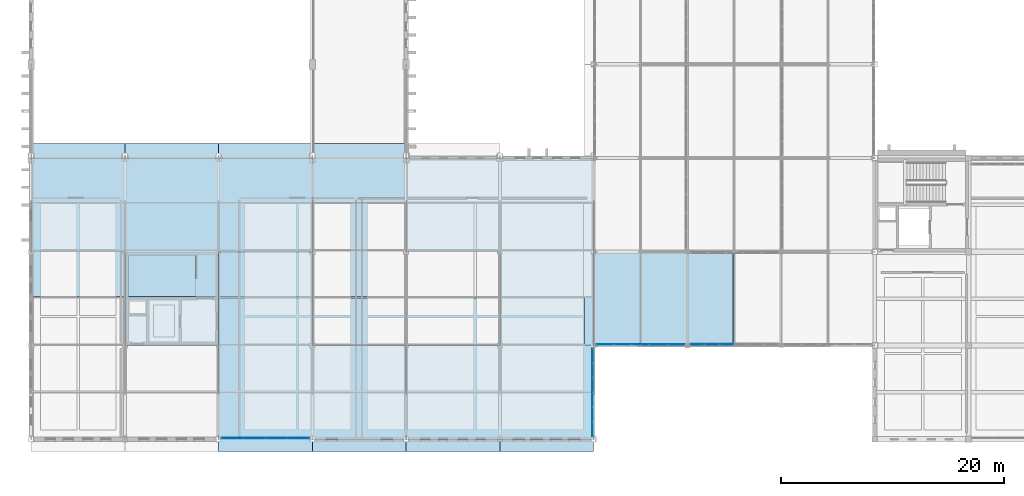
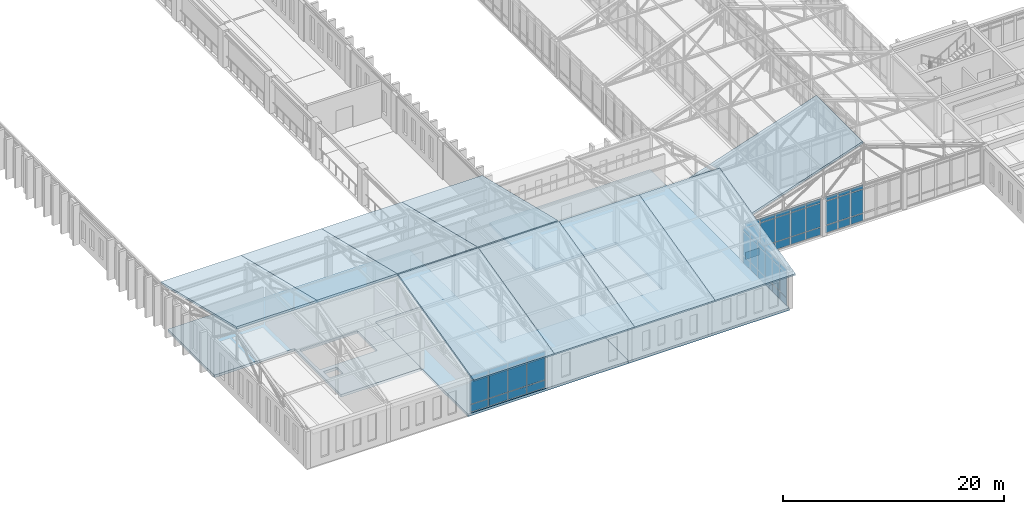
# One storey, part 111 of 192: 54 plates, 12 slabs, 4 elements without a shape of their own.
"""IFC4 building model written with IfcOpenShell, lengths in metres."""

from ifc_helpers import new_model, si_unit, direction, frame, origin, origin_2d, place, context, subcontext, project, spatial, polyline, rectangle, outline, extrude, material, layer, layer_set, type_object, element, aggregate, save


model = new_model("IFC4")

# Units and contexts
model_context = context("Model", 3, precision=1e-05, world=origin(), true_north=direction((0.0, 1.0)))
body_context = subcontext(model_context, "Body", "Model", "MODEL_VIEW")
ifc_project = project(units=[si_unit("LENGTHUNIT", "METRE"), si_unit("AREAUNIT", "SQUARE_METRE"), si_unit("VOLUMEUNIT", "CUBIC_METRE"), si_unit("PLANEANGLEUNIT", "RADIAN"), si_unit("MASSUNIT", "GRAM", prefix="KILO")], contexts=[model_context])

# Site, building, storey
site_placement = place(None, origin())
site = spatial("IfcSite", under=ifc_project, at=site_placement, CompositionType="ELEMENT")
building_placement = place(site_placement, origin())
building = spatial("IfcBuilding", under=site, at=building_placement, Name="Kveldsbrygga Polytechnic", CompositionType="ELEMENT")
storey_placement = place(building_placement, frame((0.0, 0.0, 5.43994140625)))
storey = spatial("IfcBuildingStorey", under=building, at=storey_placement, Name="L01", CompositionType="ELEMENT", Elevation=5.43994140625)

# Curtain wall, plates
ifc_material_1 = material(Name="Anodised aluminium AW-6060", Category="aluminium")
ifc_layer_1 = layer(ifc_material_1, 0.179931640625)
ifc_layer_set_1 = layer_set([ifc_layer_1], Name="Anodised aluminium AW-6060")
curtain_wall_type_1 = type_object("IfcCurtainWallType", Name="CW-CONC-A", PredefinedType="USERDEFINED", material=ifc_layer_set_1)
curtain_wall_1_placement = place(storey_placement, origin())
curtain_wall_1 = element("IfcCurtainWall", 1, at=curtain_wall_1_placement, inside=storey, type_object=curtain_wall_type_1, Name="Curtain Wall CW-L01-Y-06-00", ObjectType="UNITISED CURTAIN WALL", PredefinedType="USERDEFINED")
ifc_material_2 = material(Name="Insulated triple low-E glass", Category="glass")
ifc_layer_2 = layer(ifc_material_2, 0.035888671875)
ifc_layer_set_2 = layer_set([ifc_layer_2], Name="Insulated triple low-E glass")
plate_type_1 = type_object("IfcPlateType", Name="CW-PAN-VIS36", PredefinedType="CURTAIN_PANEL", material=ifc_layer_set_2)
plate_1_placement = place(storey_placement, frame((50.300048828125, 0.902587890625, 0.06005859375), z_axis=(0.0, 0.0, 1.0), x_axis=(0.0, 1.0, 0.0)))
plate_1 = element("IfcPlate", 2, at=plate_1_placement, type_object=plate_type_1, Name="CW-01 panel 1.1", PredefinedType="CURTAIN_PANEL", context=body_context, shape_type="SweptSolid", body=[
    extrude(rectangle(XDim=1.235107421875, YDim=0.035888671875, at=origin_2d()), origin(), (0.0, 0.0, 1.0), 0.81005859375),
])
plate_2_placement = place(storey_placement, frame((50.300048828125, 0.902587890625, 0.93017578125), z_axis=(0.0, 0.0, 1.0), x_axis=(0.0, 1.0, 0.0)))
plate_2 = element("IfcPlate", 3, at=plate_2_placement, type_object=plate_type_1, Name="CW-01 panel 1.2", PredefinedType="CURTAIN_PANEL", context=body_context, shape_type="SweptSolid", body=[
    extrude(rectangle(XDim=1.235107421875, YDim=0.035888671875, at=origin_2d()), origin(), (0.0, 0.0, 1.0), 2.610107421875),
])
plate_3_placement = place(storey_placement, frame((50.300048828125, 0.902587890625, 3.60009765625), z_axis=(0.0, 0.0, 1.0), x_axis=(0.0, 1.0, 0.0)))
plate_3 = element("IfcPlate", 4, at=plate_3_placement, type_object=plate_type_1, Name="CW-01 panel 1.3", PredefinedType="CURTAIN_PANEL", context=body_context, shape_type="SweptSolid", body=[
    extrude(rectangle(XDim=1.235107421875, YDim=0.035888671875, at=origin_2d()), origin(), (0.0, 0.0, 1.0), 0.4599609375),
])
plate_4_placement = place(storey_placement, frame((50.300048828125, 2.21240234375, 0.06005859375), z_axis=(0.0, 0.0, 1.0), x_axis=(0.0, 1.0, 0.0)))
plate_4 = element("IfcPlate", 5, at=plate_4_placement, type_object=plate_type_1, Name="CW-01 panel 2.1", PredefinedType="CURTAIN_PANEL", context=body_context, shape_type="SweptSolid", body=[
    extrude(rectangle(XDim=1.264892578125, YDim=0.035888671875, at=origin_2d()), origin(), (0.0, 0.0, 1.0), 0.81005859375),
])
plate_5_placement = place(storey_placement, frame((50.300048828125, 2.21240234375, 0.93017578125), z_axis=(0.0, 0.0, 1.0), x_axis=(0.0, 1.0, 0.0)))
plate_5 = element("IfcPlate", 6, at=plate_5_placement, type_object=plate_type_1, Name="CW-01 panel 2.2", PredefinedType="CURTAIN_PANEL", context=body_context, shape_type="SweptSolid", body=[
    extrude(rectangle(XDim=1.264892578125, YDim=0.035888671875, at=origin_2d()), origin(), (0.0, 0.0, 1.0), 2.610107421875),
])
plate_6_placement = place(storey_placement, frame((50.300048828125, 2.21240234375, 3.60009765625), z_axis=(0.0, 0.0, 1.0), x_axis=(0.0, 1.0, 0.0)))
plate_6 = element("IfcPlate", 7, at=plate_6_placement, type_object=plate_type_1, Name="CW-01 panel 2.3", PredefinedType="CURTAIN_PANEL", context=body_context, shape_type="SweptSolid", body=[
    extrude(rectangle(XDim=1.264892578125, YDim=0.035888671875, at=origin_2d()), origin(), (0.0, 0.0, 1.0), 0.4599609375),
])
plate_7_placement = place(storey_placement, frame((50.300048828125, 3.53759765625, 0.06005859375), z_axis=(0.0, 0.0, 1.0), x_axis=(0.0, 1.0, 0.0)))
plate_7 = element("IfcPlate", 8, at=plate_7_placement, type_object=plate_type_1, Name="CW-01 panel 3.1", PredefinedType="CURTAIN_PANEL", context=body_context, shape_type="SweptSolid", body=[
    extrude(rectangle(XDim=1.264892578125, YDim=0.035888671875, at=origin_2d()), origin(), (0.0, 0.0, 1.0), 0.81005859375),
])
plate_8_placement = place(storey_placement, frame((50.300048828125, 3.53759765625, 0.93017578125), z_axis=(0.0, 0.0, 1.0), x_axis=(0.0, 1.0, 0.0)))
plate_8 = element("IfcPlate", 9, at=plate_8_placement, type_object=plate_type_1, Name="CW-01 panel 3.2", PredefinedType="CURTAIN_PANEL", context=body_context, shape_type="SweptSolid", body=[
    extrude(rectangle(XDim=1.264892578125, YDim=0.035888671875, at=origin_2d()), origin(), (0.0, 0.0, 1.0), 2.610107421875),
])
plate_9_placement = place(storey_placement, frame((50.300048828125, 3.53759765625, 3.60009765625), z_axis=(0.0, 0.0, 1.0), x_axis=(0.0, 1.0, 0.0)))
plate_9 = element("IfcPlate", 10, at=plate_9_placement, type_object=plate_type_1, Name="CW-01 panel 3.3", PredefinedType="CURTAIN_PANEL", context=body_context, shape_type="SweptSolid", body=[
    extrude(rectangle(XDim=1.264892578125, YDim=0.035888671875, at=origin_2d()), origin(), (0.0, 0.0, 1.0), 0.4599609375),
])
plate_10_placement = place(storey_placement, frame((50.300048828125, 4.862548828125, 0.06005859375), z_axis=(0.0, 0.0, 1.0), x_axis=(0.0, 1.0, 0.0)))
plate_10 = element("IfcPlate", 11, at=plate_10_placement, type_object=plate_type_1, Name="CW-01 panel 4.1", PredefinedType="CURTAIN_PANEL", context=body_context, shape_type="SweptSolid", body=[
    extrude(rectangle(XDim=1.264892578125, YDim=0.035888671875, at=origin_2d()), origin(), (0.0, 0.0, 1.0), 0.81005859375),
])
plate_11_placement = place(storey_placement, frame((50.300048828125, 4.862548828125, 0.93017578125), z_axis=(0.0, 0.0, 1.0), x_axis=(0.0, 1.0, 0.0)))
plate_11 = element("IfcPlate", 12, at=plate_11_placement, type_object=plate_type_1, Name="CW-01 panel 4.2", PredefinedType="CURTAIN_PANEL", context=body_context, shape_type="SweptSolid", body=[
    extrude(rectangle(XDim=1.264892578125, YDim=0.035888671875, at=origin_2d()), origin(), (0.0, 0.0, 1.0), 2.610107421875),
])
plate_12_placement = place(storey_placement, frame((50.300048828125, 4.862548828125, 3.60009765625), z_axis=(0.0, 0.0, 1.0), x_axis=(0.0, 1.0, 0.0)))
plate_12 = element("IfcPlate", 13, at=plate_12_placement, type_object=plate_type_1, Name="CW-01 panel 4.3", PredefinedType="CURTAIN_PANEL", context=body_context, shape_type="SweptSolid", body=[
    extrude(rectangle(XDim=1.264892578125, YDim=0.035888671875, at=origin_2d()), origin(), (0.0, 0.0, 1.0), 0.4599609375),
])
plate_13_placement = place(storey_placement, frame((50.300048828125, 6.1875, 0.06005859375), z_axis=(0.0, 0.0, 1.0), x_axis=(0.0, 1.0, 0.0)))
plate_13 = element("IfcPlate", 14, at=plate_13_placement, type_object=plate_type_1, Name="CW-01 panel 5.1", PredefinedType="CURTAIN_PANEL", context=body_context, shape_type="SweptSolid", body=[
    extrude(rectangle(XDim=1.264892578125, YDim=0.035888671875, at=origin_2d()), origin(), (0.0, 0.0, 1.0), 0.81005859375),
])
plate_14_placement = place(storey_placement, frame((50.300048828125, 6.1875, 0.93017578125), z_axis=(0.0, 0.0, 1.0), x_axis=(0.0, 1.0, 0.0)))
plate_14 = element("IfcPlate", 15, at=plate_14_placement, type_object=plate_type_1, Name="CW-01 panel 5.2", PredefinedType="CURTAIN_PANEL", context=body_context, shape_type="SweptSolid", body=[
    extrude(rectangle(XDim=1.264892578125, YDim=0.035888671875, at=origin_2d()), origin(), (0.0, 0.0, 1.0), 2.610107421875),
])
plate_15_placement = place(storey_placement, frame((50.300048828125, 6.1875, 3.60009765625), z_axis=(0.0, 0.0, 1.0), x_axis=(0.0, 1.0, 0.0)))
plate_15 = element("IfcPlate", 16, at=plate_15_placement, type_object=plate_type_1, Name="CW-01 panel 5.3", PredefinedType="CURTAIN_PANEL", context=body_context, shape_type="SweptSolid", body=[
    extrude(rectangle(XDim=1.264892578125, YDim=0.035888671875, at=origin_2d()), origin(), (0.0, 0.0, 1.0), 0.4599609375),
])
plate_16_placement = place(storey_placement, frame((50.300048828125, 7.49755859375, 0.06005859375), z_axis=(0.0, 0.0, 1.0), x_axis=(0.0, 1.0, 0.0)))
plate_16 = element("IfcPlate", 17, at=plate_16_placement, type_object=plate_type_1, Name="CW-01 panel 6.1", PredefinedType="CURTAIN_PANEL", context=body_context, shape_type="SweptSolid", body=[
    extrude(rectangle(XDim=1.235107421875, YDim=0.035888671875, at=origin_2d()), origin(), (0.0, 0.0, 1.0), 0.81005859375),
])
plate_17_placement = place(storey_placement, frame((50.300048828125, 7.49755859375, 0.93017578125), z_axis=(0.0, 0.0, 1.0), x_axis=(0.0, 1.0, 0.0)))
plate_17 = element("IfcPlate", 18, at=plate_17_placement, type_object=plate_type_1, Name="CW-01 panel 6.2", PredefinedType="CURTAIN_PANEL", context=body_context, shape_type="SweptSolid", body=[
    extrude(rectangle(XDim=1.235107421875, YDim=0.035888671875, at=origin_2d()), origin(), (0.0, 0.0, 1.0), 2.610107421875),
])
plate_18_placement = place(storey_placement, frame((50.300048828125, 7.49755859375, 3.60009765625), z_axis=(0.0, 0.0, 1.0), x_axis=(0.0, 1.0, 0.0)))
plate_18 = element("IfcPlate", 19, at=plate_18_placement, type_object=plate_type_1, Name="CW-01 panel 6.3", PredefinedType="CURTAIN_PANEL", context=body_context, shape_type="SweptSolid", body=[
    extrude(rectangle(XDim=1.235107421875, YDim=0.035888671875, at=origin_2d()), origin(), (0.0, 0.0, 1.0), 0.4599609375),
])
aggregate(curtain_wall_1, [plate_1, plate_2, plate_3, plate_4, plate_5, plate_6, plate_7, plate_8, plate_9, plate_10, plate_11, plate_12, plate_13, plate_14, plate_15, plate_16, plate_17, plate_18])

ifc_layer_3 = layer(ifc_material_1, 0.199951171875)
ifc_layer_set_3 = layer_set([ifc_layer_3], Name="Anodised aluminium AW-6060")
curtain_wall_type_2 = type_object("IfcCurtainWallType", Name="CW-LANC-E", PredefinedType="USERDEFINED", material=ifc_layer_set_3)
curtain_wall_2_placement = place(storey_placement, origin())
curtain_wall_2 = element("IfcCurtainWall", 20, at=curtain_wall_2_placement, inside=storey, type_object=curtain_wall_type_2, Name="Curtain Wall CW-L01-X-02-00", ObjectType="UNITISED CURTAIN WALL", PredefinedType="USERDEFINED")
ifc_layer_4 = layer(ifc_material_2, 0.0419921875)
ifc_layer_set_4 = layer_set([ifc_layer_4], Name="Insulated triple low-E glass")
plate_type_2 = type_object("IfcPlateType", Name="CW-PAN-VIS42", PredefinedType="CURTAIN_PANEL", material=ifc_layer_set_4)
plate_19_placement = place(storey_placement, frame((18.0205078125, 0.10009765625, 0.06005859375), z_axis=(0.0, 0.0, 1.0), x_axis=(1.0, 0.0, 0.0)))
plate_19 = element("IfcPlate", 21, at=plate_19_placement, type_object=plate_type_2, Name="CW-05 panel 1.1", PredefinedType="CURTAIN_PANEL", context=body_context, shape_type="SweptSolid", body=[
    extrude(rectangle(XDim=1.9013671875, YDim=0.0419921875, at=origin_2d()), origin(), (0.0, 0.0, 1.0), 0.81005859375),
])
plate_20_placement = place(storey_placement, frame((18.0205078125, 0.10009765625, 0.93017578125), z_axis=(0.0, 0.0, 1.0), x_axis=(1.0, 0.0, 0.0)))
plate_20 = element("IfcPlate", 22, at=plate_20_placement, type_object=plate_type_2, Name="CW-05 panel 1.2", PredefinedType="CURTAIN_PANEL", context=body_context, shape_type="SweptSolid", body=[
    extrude(rectangle(XDim=1.9013671875, YDim=0.0419921875, at=origin_2d()), origin(), (0.0, 0.0, 1.0), 2.610107421875),
])
plate_21_placement = place(storey_placement, frame((18.0205078125, 0.10009765625, 3.60009765625), z_axis=(0.0, 0.0, 1.0), x_axis=(1.0, 0.0, 0.0)))
plate_21 = element("IfcPlate", 23, at=plate_21_placement, type_object=plate_type_2, Name="CW-05 panel 1.3", PredefinedType="CURTAIN_PANEL", context=body_context, shape_type="SweptSolid", body=[
    extrude(rectangle(XDim=1.9013671875, YDim=0.0419921875, at=origin_2d()), origin(), (0.0, 0.0, 1.0), 0.4599609375),
])
plate_22_placement = place(storey_placement, frame((19.996826171875, 0.10009765625, 0.06005859375), z_axis=(0.0, 0.0, 1.0), x_axis=(1.0, 0.0, 0.0)))
plate_22 = element("IfcPlate", 24, at=plate_22_placement, type_object=plate_type_2, Name="CW-05 panel 2.1", PredefinedType="CURTAIN_PANEL", context=body_context, shape_type="SweptSolid", body=[
    extrude(rectangle(XDim=1.93115234375, YDim=0.0419921875, at=origin_2d()), origin(), (0.0, 0.0, 1.0), 0.81005859375),
])
plate_23_placement = place(storey_placement, frame((19.996826171875, 0.10009765625, 0.93017578125), z_axis=(0.0, 0.0, 1.0), x_axis=(1.0, 0.0, 0.0)))
plate_23 = element("IfcPlate", 25, at=plate_23_placement, type_object=plate_type_2, Name="CW-05 panel 2.2", PredefinedType="CURTAIN_PANEL", context=body_context, shape_type="SweptSolid", body=[
    extrude(rectangle(XDim=1.93115234375, YDim=0.0419921875, at=origin_2d()), origin(), (0.0, 0.0, 1.0), 2.610107421875),
])
plate_24_placement = place(storey_placement, frame((19.996826171875, 0.10009765625, 3.60009765625), z_axis=(0.0, 0.0, 1.0), x_axis=(1.0, 0.0, 0.0)))
plate_24 = element("IfcPlate", 26, at=plate_24_placement, type_object=plate_type_2, Name="CW-05 panel 2.3", PredefinedType="CURTAIN_PANEL", context=body_context, shape_type="SweptSolid", body=[
    extrude(rectangle(XDim=1.93115234375, YDim=0.0419921875, at=origin_2d()), origin(), (0.0, 0.0, 1.0), 0.4599609375),
])
plate_25_placement = place(storey_placement, frame((21.988037109375, 0.10009765625, 0.06005859375), z_axis=(0.0, 0.0, 1.0), x_axis=(1.0, 0.0, 0.0)))
plate_25 = element("IfcPlate", 27, at=plate_25_placement, type_object=plate_type_2, Name="CW-05 panel 3.1", PredefinedType="CURTAIN_PANEL", context=body_context, shape_type="SweptSolid", body=[
    extrude(rectangle(XDim=1.93115234375, YDim=0.0419921875, at=origin_2d()), origin(), (0.0, 0.0, 1.0), 0.81005859375),
])
plate_26_placement = place(storey_placement, frame((21.988037109375, 0.10009765625, 0.93017578125), z_axis=(0.0, 0.0, 1.0), x_axis=(1.0, 0.0, 0.0)))
plate_26 = element("IfcPlate", 28, at=plate_26_placement, type_object=plate_type_2, Name="CW-05 panel 3.2", PredefinedType="CURTAIN_PANEL", context=body_context, shape_type="SweptSolid", body=[
    extrude(rectangle(XDim=1.93115234375, YDim=0.0419921875, at=origin_2d()), origin(), (0.0, 0.0, 1.0), 2.610107421875),
])
plate_27_placement = place(storey_placement, frame((21.988037109375, 0.10009765625, 3.60009765625), z_axis=(0.0, 0.0, 1.0), x_axis=(1.0, 0.0, 0.0)))
plate_27 = element("IfcPlate", 29, at=plate_27_placement, type_object=plate_type_2, Name="CW-05 panel 3.3", PredefinedType="CURTAIN_PANEL", context=body_context, shape_type="SweptSolid", body=[
    extrude(rectangle(XDim=1.93115234375, YDim=0.0419921875, at=origin_2d()), origin(), (0.0, 0.0, 1.0), 0.4599609375),
])
plate_28_placement = place(storey_placement, frame((23.96435546875, 0.10009765625, 0.06005859375), z_axis=(0.0, 0.0, 1.0), x_axis=(1.0, 0.0, 0.0)))
plate_28 = element("IfcPlate", 30, at=plate_28_placement, type_object=plate_type_2, Name="CW-05 panel 4.1", PredefinedType="CURTAIN_PANEL", context=body_context, shape_type="SweptSolid", body=[
    extrude(rectangle(XDim=1.9013671875, YDim=0.0419921875, at=origin_2d()), origin(), (0.0, 0.0, 1.0), 0.81005859375),
])
plate_29_placement = place(storey_placement, frame((23.96435546875, 0.10009765625, 0.93017578125), z_axis=(0.0, 0.0, 1.0), x_axis=(1.0, 0.0, 0.0)))
plate_29 = element("IfcPlate", 31, at=plate_29_placement, type_object=plate_type_2, Name="CW-05 panel 4.2", PredefinedType="CURTAIN_PANEL", context=body_context, shape_type="SweptSolid", body=[
    extrude(rectangle(XDim=1.9013671875, YDim=0.0419921875, at=origin_2d()), origin(), (0.0, 0.0, 1.0), 2.610107421875),
])
plate_30_placement = place(storey_placement, frame((23.96435546875, 0.10009765625, 3.60009765625), z_axis=(0.0, 0.0, 1.0), x_axis=(1.0, 0.0, 0.0)))
plate_30 = element("IfcPlate", 32, at=plate_30_placement, type_object=plate_type_2, Name="CW-05 panel 4.3", PredefinedType="CURTAIN_PANEL", context=body_context, shape_type="SweptSolid", body=[
    extrude(rectangle(XDim=1.9013671875, YDim=0.0419921875, at=origin_2d()), origin(), (0.0, 0.0, 1.0), 0.4599609375),
])
aggregate(curtain_wall_2, [plate_19, plate_20, plate_21, plate_22, plate_23, plate_24, plate_25, plate_26, plate_27, plate_28, plate_29, plate_30])

ifc_layer_5 = layer(ifc_material_1, 0.199951171875)
ifc_layer_set_5 = layer_set([ifc_layer_5], Name="Anodised aluminium AW-6060")
curtain_wall_type_3 = type_object("IfcCurtainWallType", Name="CW-CONC-B", PredefinedType="USERDEFINED", material=ifc_layer_set_5)
curtain_wall_3_placement = place(storey_placement, origin())
curtain_wall_3 = element("IfcCurtainWall", 33, at=curtain_wall_3_placement, inside=storey, type_object=curtain_wall_type_3, Name="Curtain Wall CW-L01-X-06-01", ObjectType="UNITISED CURTAIN WALL", PredefinedType="USERDEFINED")
plate_31_placement = place(storey_placement, frame((51.4365234375, 8.5, 0.06005859375), z_axis=(0.0, 0.0, 1.0), x_axis=(1.0, 0.0, 0.0)))
plate_31 = element("IfcPlate", 34, at=plate_31_placement, type_object=plate_type_2, Name="CW-02 panel 1.1", PredefinedType="CURTAIN_PANEL", context=body_context, shape_type="SweptSolid", body=[
    extrude(rectangle(XDim=1.5029296875, YDim=0.0419921875, at=origin_2d()), origin(), (0.0, 0.0, 1.0), 0.81005859375),
])
plate_32_placement = place(storey_placement, frame((51.4365234375, 8.5, 0.93017578125), z_axis=(0.0, 0.0, 1.0), x_axis=(1.0, 0.0, 0.0)))
plate_32 = element("IfcPlate", 35, at=plate_32_placement, type_object=plate_type_2, Name="CW-02 panel 1.2", PredefinedType="CURTAIN_PANEL", context=body_context, shape_type="SweptSolid", body=[
    extrude(rectangle(XDim=1.5029296875, YDim=0.0419921875, at=origin_2d()), origin(), (0.0, 0.0, 1.0), 2.610107421875),
])
plate_33_placement = place(storey_placement, frame((51.4365234375, 8.5, 3.60009765625), z_axis=(0.0, 0.0, 1.0), x_axis=(1.0, 0.0, 0.0)))
plate_33 = element("IfcPlate", 36, at=plate_33_placement, type_object=plate_type_2, Name="CW-02 panel 1.3", PredefinedType="CURTAIN_PANEL", context=body_context, shape_type="SweptSolid", body=[
    extrude(rectangle(XDim=1.5029296875, YDim=0.0419921875, at=origin_2d()), origin(), (0.0, 0.0, 1.0), 0.4599609375),
])
plate_34_placement = place(storey_placement, frame((53.014404296875, 8.5, 0.06005859375), z_axis=(0.0, 0.0, 1.0), x_axis=(1.0, 0.0, 0.0)))
plate_34 = element("IfcPlate", 37, at=plate_34_placement, type_object=plate_type_2, Name="CW-02 panel 2.1", PredefinedType="CURTAIN_PANEL", context=body_context, shape_type="SweptSolid", body=[
    extrude(rectangle(XDim=1.532958984375, YDim=0.0419921875, at=origin_2d()), origin(), (0.0, 0.0, 1.0), 0.81005859375),
])
plate_35_placement = place(storey_placement, frame((53.014404296875, 8.5, 0.93017578125), z_axis=(0.0, 0.0, 1.0), x_axis=(1.0, 0.0, 0.0)))
plate_35 = element("IfcPlate", 38, at=plate_35_placement, type_object=plate_type_2, Name="CW-02 panel 2.2", PredefinedType="CURTAIN_PANEL", context=body_context, shape_type="SweptSolid", body=[
    extrude(rectangle(XDim=1.532958984375, YDim=0.0419921875, at=origin_2d()), origin(), (0.0, 0.0, 1.0), 2.610107421875),
])
plate_36_placement = place(storey_placement, frame((53.014404296875, 8.5, 3.60009765625), z_axis=(0.0, 0.0, 1.0), x_axis=(1.0, 0.0, 0.0)))
plate_36 = element("IfcPlate", 39, at=plate_36_placement, type_object=plate_type_2, Name="CW-02 panel 2.3", PredefinedType="CURTAIN_PANEL", context=body_context, shape_type="SweptSolid", body=[
    extrude(rectangle(XDim=1.532958984375, YDim=0.0419921875, at=origin_2d()), origin(), (0.0, 0.0, 1.0), 0.4599609375),
])
plate_37_placement = place(storey_placement, frame((54.607421875, 8.5, 0.06005859375), z_axis=(0.0, 0.0, 1.0), x_axis=(1.0, 0.0, 0.0)))
plate_37 = element("IfcPlate", 40, at=plate_37_placement, type_object=plate_type_2, Name="CW-02 panel 3.1", PredefinedType="CURTAIN_PANEL", context=body_context, shape_type="SweptSolid", body=[
    extrude(rectangle(XDim=1.532958984375, YDim=0.0419921875, at=origin_2d()), origin(), (0.0, 0.0, 1.0), 0.81005859375),
])
plate_38_placement = place(storey_placement, frame((54.607421875, 8.5, 0.93017578125), z_axis=(0.0, 0.0, 1.0), x_axis=(1.0, 0.0, 0.0)))
plate_38 = element("IfcPlate", 41, at=plate_38_placement, type_object=plate_type_2, Name="CW-02 panel 3.2", PredefinedType="CURTAIN_PANEL", context=body_context, shape_type="SweptSolid", body=[
    extrude(rectangle(XDim=1.532958984375, YDim=0.0419921875, at=origin_2d()), origin(), (0.0, 0.0, 1.0), 2.610107421875),
])
plate_39_placement = place(storey_placement, frame((54.607421875, 8.5, 3.60009765625), z_axis=(0.0, 0.0, 1.0), x_axis=(1.0, 0.0, 0.0)))
plate_39 = element("IfcPlate", 42, at=plate_39_placement, type_object=plate_type_2, Name="CW-02 panel 3.3", PredefinedType="CURTAIN_PANEL", context=body_context, shape_type="SweptSolid", body=[
    extrude(rectangle(XDim=1.532958984375, YDim=0.0419921875, at=origin_2d()), origin(), (0.0, 0.0, 1.0), 0.4599609375),
])
plate_40_placement = place(storey_placement, frame((56.200439453125, 8.5, 0.06005859375), z_axis=(0.0, 0.0, 1.0), x_axis=(1.0, 0.0, 0.0)))
plate_40 = element("IfcPlate", 43, at=plate_40_placement, type_object=plate_type_2, Name="CW-02 panel 4.1", PredefinedType="CURTAIN_PANEL", context=body_context, shape_type="SweptSolid", body=[
    extrude(rectangle(XDim=1.532958984375, YDim=0.0419921875, at=origin_2d()), origin(), (0.0, 0.0, 1.0), 0.81005859375),
])
plate_41_placement = place(storey_placement, frame((56.200439453125, 8.5, 0.93017578125), z_axis=(0.0, 0.0, 1.0), x_axis=(1.0, 0.0, 0.0)))
plate_41 = element("IfcPlate", 44, at=plate_41_placement, type_object=plate_type_2, Name="CW-02 panel 4.2", PredefinedType="CURTAIN_PANEL", context=body_context, shape_type="SweptSolid", body=[
    extrude(rectangle(XDim=1.532958984375, YDim=0.0419921875, at=origin_2d()), origin(), (0.0, 0.0, 1.0), 2.610107421875),
])
plate_42_placement = place(storey_placement, frame((56.200439453125, 8.5, 3.60009765625), z_axis=(0.0, 0.0, 1.0), x_axis=(1.0, 0.0, 0.0)))
plate_42 = element("IfcPlate", 45, at=plate_42_placement, type_object=plate_type_2, Name="CW-02 panel 4.3", PredefinedType="CURTAIN_PANEL", context=body_context, shape_type="SweptSolid", body=[
    extrude(rectangle(XDim=1.532958984375, YDim=0.0419921875, at=origin_2d()), origin(), (0.0, 0.0, 1.0), 0.4599609375),
])
plate_43_placement = place(storey_placement, frame((57.778564453125, 8.5, 0.06005859375), z_axis=(0.0, 0.0, 1.0), x_axis=(1.0, 0.0, 0.0)))
plate_43 = element("IfcPlate", 46, at=plate_43_placement, type_object=plate_type_2, Name="CW-02 panel 5.1", PredefinedType="CURTAIN_PANEL", context=body_context, shape_type="SweptSolid", body=[
    extrude(rectangle(XDim=1.5029296875, YDim=0.0419921875, at=origin_2d()), origin(), (0.0, 0.0, 1.0), 0.81005859375),
])
plate_44_placement = place(storey_placement, frame((57.778564453125, 8.5, 0.93017578125), z_axis=(0.0, 0.0, 1.0), x_axis=(1.0, 0.0, 0.0)))
plate_44 = element("IfcPlate", 47, at=plate_44_placement, type_object=plate_type_2, Name="CW-02 panel 5.2", PredefinedType="CURTAIN_PANEL", context=body_context, shape_type="SweptSolid", body=[
    extrude(rectangle(XDim=1.5029296875, YDim=0.0419921875, at=origin_2d()), origin(), (0.0, 0.0, 1.0), 2.610107421875),
])
plate_45_placement = place(storey_placement, frame((57.778564453125, 8.5, 3.60009765625), z_axis=(0.0, 0.0, 1.0), x_axis=(1.0, 0.0, 0.0)))
plate_45 = element("IfcPlate", 48, at=plate_45_placement, type_object=plate_type_2, Name="CW-02 panel 5.3", PredefinedType="CURTAIN_PANEL", context=body_context, shape_type="SweptSolid", body=[
    extrude(rectangle(XDim=1.5029296875, YDim=0.0419921875, at=origin_2d()), origin(), (0.0, 0.0, 1.0), 0.4599609375),
])
aggregate(curtain_wall_3, [plate_31, plate_32, plate_33, plate_34, plate_35, plate_36, plate_37, plate_38, plate_39, plate_40, plate_41, plate_42, plate_43, plate_44, plate_45])

ifc_layer_6 = layer(ifc_material_1, 0.159912109375)
ifc_layer_set_6 = layer_set([ifc_layer_6], Name="Anodised aluminium AW-6060")
curtain_wall_type_4 = type_object("IfcCurtainWallType", Name="CW-CLER-C", PredefinedType="USERDEFINED", material=ifc_layer_set_6)
curtain_wall_4_placement = place(storey_placement, origin())
curtain_wall_4 = element("IfcCurtainWall", 49, at=curtain_wall_4_placement, inside=storey, type_object=curtain_wall_type_4, Name="Curtain Wall CW-L01-X-07-01", ObjectType="STICK CURTAIN WALL", PredefinedType="USERDEFINED")
ifc_layer_7 = layer(ifc_material_2, 0.048095703125)
ifc_layer_set_7 = layer_set([ifc_layer_7], Name="Insulated triple low-E glass")
plate_type_3 = type_object("IfcPlateType", Name="CW-PAN-VIS48", PredefinedType="CURTAIN_PANEL", material=ifc_layer_set_7)
plate_46_placement = place(storey_placement, frame((59.69580078125, 8.5, 0.074951171875), z_axis=(0.0, 0.0, 1.0), x_axis=(1.0, 0.0, 0.0)))
plate_46 = element("IfcPlate", 50, at=plate_46_placement, type_object=plate_type_3, Name="CW-03 panel 1.1", PredefinedType="CURTAIN_PANEL", context=body_context, shape_type="SweptSolid", body=[
    extrude(rectangle(XDim=1.2216796875, YDim=0.048095703125, at=origin_2d()), origin(), (0.0, 0.0, 1.0), 0.78759765625),
])
plate_47_placement = place(storey_placement, frame((59.69580078125, 8.5, 0.9375), z_axis=(0.0, 0.0, 1.0), x_axis=(1.0, 0.0, 0.0)))
plate_47 = element("IfcPlate", 51, at=plate_47_placement, type_object=plate_type_3, Name="CW-03 panel 1.2", PredefinedType="CURTAIN_PANEL", context=body_context, shape_type="SweptSolid", body=[
    extrude(rectangle(XDim=1.2216796875, YDim=0.048095703125, at=origin_2d()), origin(), (0.0, 0.0, 1.0), 2.594970703125),
])
plate_48_placement = place(storey_placement, frame((59.69580078125, 8.5, 3.607666015625), z_axis=(0.0, 0.0, 1.0), x_axis=(1.0, 0.0, 0.0)))
plate_48 = element("IfcPlate", 52, at=plate_48_placement, type_object=plate_type_3, Name="CW-03 panel 1.3", PredefinedType="CURTAIN_PANEL", context=body_context, shape_type="SweptSolid", body=[
    extrude(rectangle(XDim=1.2216796875, YDim=0.048095703125, at=origin_2d()), origin(), (0.0, 0.0, 1.0), 0.4375),
])
plate_49_placement = place(storey_placement, frame((61.01123046875, 8.5, 0.074951171875), z_axis=(0.0, 0.0, 1.0), x_axis=(1.0, 0.0, 0.0)))
plate_49 = element("IfcPlate", 53, at=plate_49_placement, type_object=plate_type_3, Name="CW-03 panel 2.1", PredefinedType="CURTAIN_PANEL", context=body_context, shape_type="SweptSolid", body=[
    extrude(rectangle(XDim=1.25927734375, YDim=0.048095703125, at=origin_2d()), origin(), (0.0, 0.0, 1.0), 0.78759765625),
])
plate_50_placement = place(storey_placement, frame((61.01123046875, 8.5, 0.9375), z_axis=(0.0, 0.0, 1.0), x_axis=(1.0, 0.0, 0.0)))
plate_50 = element("IfcPlate", 54, at=plate_50_placement, type_object=plate_type_3, Name="CW-03 panel 2.2", PredefinedType="CURTAIN_PANEL", context=body_context, shape_type="SweptSolid", body=[
    extrude(rectangle(XDim=1.25927734375, YDim=0.048095703125, at=origin_2d()), origin(), (0.0, 0.0, 1.0), 2.594970703125),
])
plate_51_placement = place(storey_placement, frame((61.01123046875, 8.5, 3.607666015625), z_axis=(0.0, 0.0, 1.0), x_axis=(1.0, 0.0, 0.0)))
plate_51 = element("IfcPlate", 55, at=plate_51_placement, type_object=plate_type_3, Name="CW-03 panel 2.3", PredefinedType="CURTAIN_PANEL", context=body_context, shape_type="SweptSolid", body=[
    extrude(rectangle(XDim=1.25927734375, YDim=0.048095703125, at=origin_2d()), origin(), (0.0, 0.0, 1.0), 0.4375),
])
plate_52_placement = place(storey_placement, frame((62.345458984375, 8.5, 0.074951171875), z_axis=(0.0, 0.0, 1.0), x_axis=(1.0, 0.0, 0.0)))
plate_52 = element("IfcPlate", 56, at=plate_52_placement, type_object=plate_type_3, Name="CW-03 panel 3.1", PredefinedType="CURTAIN_PANEL", context=body_context, shape_type="SweptSolid", body=[
    extrude(rectangle(XDim=1.25927734375, YDim=0.048095703125, at=origin_2d()), origin(), (0.0, 0.0, 1.0), 0.78759765625),
])
plate_53_placement = place(storey_placement, frame((62.345458984375, 8.5, 0.9375), z_axis=(0.0, 0.0, 1.0), x_axis=(1.0, 0.0, 0.0)))
plate_53 = element("IfcPlate", 57, at=plate_53_placement, type_object=plate_type_3, Name="CW-03 panel 3.2", PredefinedType="CURTAIN_PANEL", context=body_context, shape_type="SweptSolid", body=[
    extrude(rectangle(XDim=1.25927734375, YDim=0.048095703125, at=origin_2d()), origin(), (0.0, 0.0, 1.0), 2.594970703125),
])
plate_54_placement = place(storey_placement, frame((62.345458984375, 8.5, 3.607666015625), z_axis=(0.0, 0.0, 1.0), x_axis=(1.0, 0.0, 0.0)))
plate_54 = element("IfcPlate", 58, at=plate_54_placement, type_object=plate_type_3, Name="CW-03 panel 3.3", PredefinedType="CURTAIN_PANEL", context=body_context, shape_type="SweptSolid", body=[
    extrude(rectangle(XDim=1.25927734375, YDim=0.048095703125, at=origin_2d()), origin(), (0.0, 0.0, 1.0), 0.4375),
])
aggregate(curtain_wall_4, [plate_46, plate_47, plate_48, plate_49, plate_50, plate_51, plate_52, plate_53, plate_54])

# Slabs
ifc_material_3 = material(Name="Concrete C35/45", Category="concrete")
ifc_layer_8 = layer(ifc_material_3, 0.219970703125)
ifc_layer_set_8 = layer_set([ifc_layer_8], Name="Concrete C35/45")
slab_type_1 = type_object("IfcSlabType", Name="SLB-ROOF-220", PredefinedType="ROOF", material=ifc_layer_set_8)
slab_1_placement = place(storey_placement, frame((0.0, 12.781982421875, 7.773681640625), z_axis=(0.0, 0.236945846339, 0.971522859177), x_axis=(1.0, 0.0, 0.0)))
element("IfcSlab", 59, at=slab_1_placement, inside=storey, type_object=slab_type_1, Name="Pitched Roof Slab V5S-RSLB-1-2", PredefinedType="ROOF", context=body_context, shape_type="SweptSolid", body=[
    extrude(outline(polyline([(0.0, 0.0), (8.39990234375, 0.0), (8.39990234375, 14.140724512666859), (0.0, 14.140724512666859), (0.0, 0.0)])), origin(), (0.0, 0.0, -1.0), 0.219970703125),
])
slab_2_placement = place(storey_placement, frame((8.39990234375, 12.781982421875, 7.773681640625), z_axis=(0.0, 0.236945846339, 0.971522859177), x_axis=(1.0, 0.0, 0.0)))
element("IfcSlab", 60, at=slab_2_placement, inside=storey, type_object=slab_type_1, Name="Pitched Roof Slab V5S-RSLB-2-2", PredefinedType="ROOF", context=body_context, shape_type="SweptSolid", body=[
    extrude(outline(polyline([(0.0, 0.0), (8.400146484375, 0.0), (8.400146484375, 14.140724512666859), (0.0, 14.140724512666859), (0.0, 0.0)])), origin(), (0.0, 0.0, -1.0), 0.219970703125),
])
for number, where, z_axis, x_axis, name in (
    (61, (16.800048828125, -1.10009765625, 4.423095703125), (0.0, -0.236945846339, 0.971522859177), (1.0, 0.0, 0.0), "Pitched Roof Slab V5S-RSLB-3-1"),
    (62, (16.800048828125, 12.781982421875, 7.773681640625), (0.0, 0.236945846339, 0.971522859177), (1.0, 0.0, 0.0), "Pitched Roof Slab V5S-RSLB-3-2"),
):
    element("IfcSlab", number, at=place(storey_placement, frame(where, z_axis=z_axis, x_axis=x_axis)), inside=storey, type_object=slab_type_1, Name=name, PredefinedType="ROOF", context=body_context, shape_type="SweptSolid", body=[
        extrude(outline(polyline([(0.0, 0.0), (8.39990234375, 0.0), (8.39990234375, 14.140724512666859), (0.0, 14.140724512666859), (0.0, 0.0)])), origin(), (0.0, 0.0, -1.0), 0.219970703125),
    ])
for number, where, z_axis, x_axis, name in (
    (63, (25.199951171875, -1.10009765625, 4.423095703125), (0.0, -0.236945846339, 0.971522859177), (1.0, 0.0, 0.0), "Pitched Roof Slab V5S-RSLB-4-1"),
    (64, (25.199951171875, 12.781982421875, 7.773681640625), (0.0, 0.236945846339, 0.971522859177), (1.0, 0.0, 0.0), "Pitched Roof Slab V5S-RSLB-4-2"),
):
    element("IfcSlab", number, at=place(storey_placement, frame(where, z_axis=z_axis, x_axis=x_axis)), inside=storey, type_object=slab_type_1, Name=name, PredefinedType="ROOF", context=body_context, shape_type="SweptSolid", body=[
        extrude(outline(polyline([(0.0, 0.0), (8.400146484375, 0.0), (8.400146484375, 14.140724512666859), (0.0, 14.140724512666859), (0.0, 0.0)])), origin(), (0.0, 0.0, -1.0), 0.219970703125),
    ])
for number, where, z_axis, x_axis, name in (
    (65, (33.60009765625, -1.10009765625, 4.423095703125), (0.0, -0.236945846339, 0.971522859177), (1.0, 0.0, 0.0), "Pitched Roof Slab V5S-RSLB-5-1"),
    (66, (42.0, -1.10009765625, 4.423095703125), (0.0, -0.236945846339, 0.971522859177), (1.0, 0.0, 0.0), "Pitched Roof Slab V5S-RSLB-6-1"),
):
    element("IfcSlab", number, at=place(storey_placement, frame(where, z_axis=z_axis, x_axis=x_axis)), inside=storey, type_object=slab_type_1, Name=name, PredefinedType="ROOF", context=body_context, shape_type="SweptSolid", body=[
        extrude(outline(polyline([(0.0, 0.0), (8.39990234375, 0.0), (8.39990234375, 14.140724512666859), (0.0, 14.140724512666859), (0.0, 0.0)])), origin(), (0.0, 0.0, -1.0), 0.219970703125),
    ])
slab_3_placement = place(storey_placement, frame((49.60009765625, 8.39990234375, 4.45947265625), z_axis=(-0.316227766017, 0.0, 0.948683298051), x_axis=(0.948683298051, 0.0, 0.316227766017)))
element("IfcSlab", 67, at=slab_3_placement, inside=storey, type_object=slab_type_1, Name="Pitched Roof Slab V5C-RSLB-1-1", PredefinedType="ROOF", context=body_context, shape_type="SweptSolid", body=[
    extrude(outline(polyline([(0.0, 0.0), (14.030290995664053, 0.0), (14.030290995664053, 8.400146484375002), (0.0, 8.400146484375002), (0.0, 0.0)])), origin(), (0.0, 0.0, -1.0), 0.219970703125),
])
ifc_layer_9 = layer(ifc_material_3, 0.280029296875)
ifc_layer_set_9 = layer_set([ifc_layer_9], Name="Concrete C35/45")
slab_type_2 = type_object("IfcSlabType", Name="SLB-STD-280", PredefinedType="FLOOR", material=ifc_layer_set_9)
slab_4_placement = place(storey_placement, frame((0.0, 0.0, -0.280029296875)))
element("IfcSlab", 68, at=slab_4_placement, inside=storey, type_object=slab_type_2, Name="Slab SLB-L01-V5-SW-L02-1", PredefinedType="FLOOR", context=body_context, shape_type="SweptSolid", body=[
    extrude(outline(polyline([(16.800048828125, 0.0), (16.800048828125, 8.39990234375), (16.800048828125, 16.800048828125), (25.199951171875, 16.800048828125), (25.199951171875, 8.39990234375), (33.60009765625, 8.39990234375), (33.60009765625, 0.0), (25.199951171875, 0.0), (16.800048828125, 0.0)])), origin(), (0.0, 0.0, 1.0), 0.280029296875),
])
slab_5_placement = place(storey_placement, frame((0.0, 0.0, -0.280029296875)))
element("IfcSlab", 69, at=slab_5_placement, inside=storey, type_object=slab_type_2, Name="Slab SLB-L01-V5-SW-Z1-1", PredefinedType="FLOOR", context=body_context, shape_type="SweptSolid", body=[
    extrude(outline(polyline([(42.0, 8.39990234375), (42.0, 16.800048828125), (33.60009765625, 16.800048828125), (33.60009765625, 25.199951171875), (42.0, 25.199951171875), (50.39990234375, 25.199951171875), (50.39990234375, 16.800048828125), (50.39990234375, 8.39990234375), (50.39990234375, 0.0), (42.0, 0.0), (33.60009765625, 0.0), (33.60009765625, 8.39990234375), (42.0, 8.39990234375)])), origin(), (0.0, 0.0, 1.0), 0.280029296875),
])
slab_6_placement = place(storey_placement, frame((0.0, 0.0, -0.280029296875)))
element("IfcSlab", 70, at=slab_6_placement, inside=storey, type_object=slab_type_2, Name="Slab SLB-L01-V5-SW-Z1-2", PredefinedType="FLOOR", context=body_context, shape_type="SweptSolid", body=[
    extrude(outline(polyline([(16.800048828125, 8.39990234375), (8.39990234375, 8.39990234375), (8.39990234375, 16.800048828125), (0.0, 16.800048828125), (0.0, 25.199951171875), (8.39990234375, 25.199951171875), (16.800048828125, 25.199951171875), (25.199951171875, 25.199951171875), (25.199951171875, 16.800048828125), (16.800048828125, 16.800048828125), (16.800048828125, 8.39990234375)]), holes=[polyline([(14.72509765625, 16.39990234375), (8.699951171875, 16.39990234375), (8.699951171875, 12.800048828125), (14.72509765625, 12.800048828125), (14.72509765625, 16.39990234375)]), polyline([(8.85009765625, 11.25), (10.25, 11.25), (10.25, 12.35009765625), (8.85009765625, 12.35009765625), (8.85009765625, 11.25)])]), origin(), (0.0, 0.0, 1.0), 0.280029296875),
])

save(model, "model.ifc")
